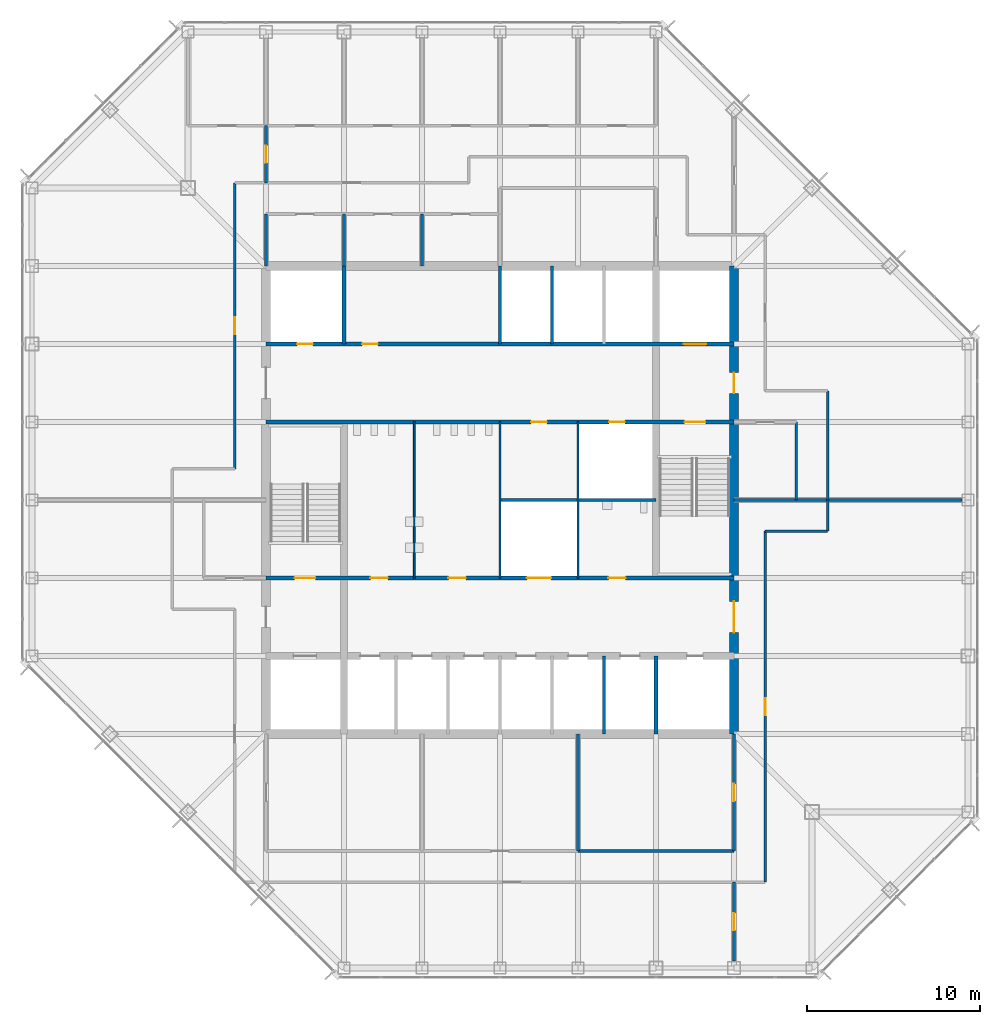
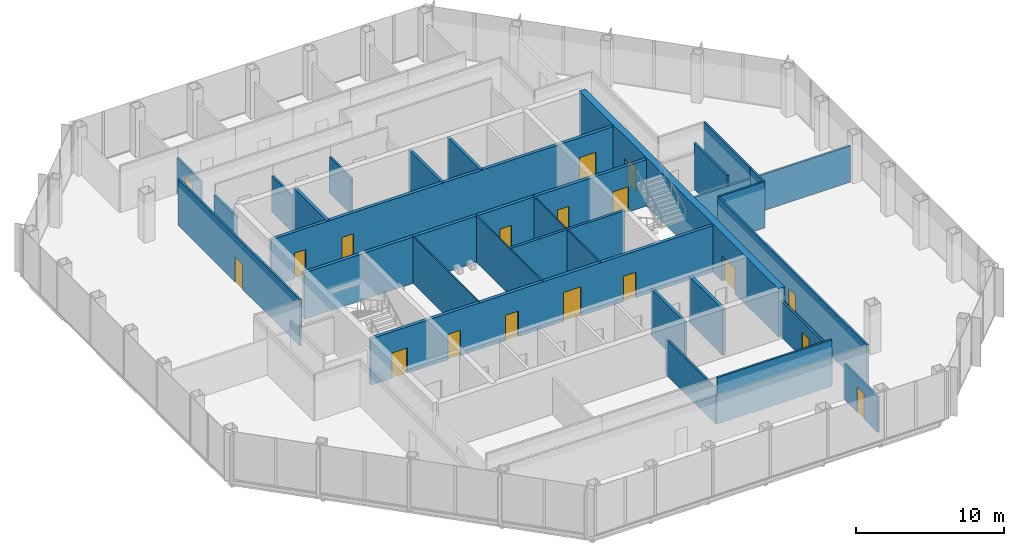
# One storey, part 9 of 13: 28 walls, 18 doors, 18 openings.
"""IFC4 building model written with IfcOpenShell, lengths in metres."""

from ifc_helpers import new_model, si_unit, direction, frame, frame_2d, origin, place, context, subcontext, project, spatial, rectangle, extrude, material, layer, layer_set, type_object, element, fill, save


model = new_model("IFC4")

# Units and contexts
model_context = context("Model", 3, precision=1e-05, world=origin(), true_north=direction((0.0, 1.0)))
body_context = subcontext(model_context, "Body", "Model", "MODEL_VIEW")
ifc_project = project(units=[si_unit("LENGTHUNIT", "METRE"), si_unit("AREAUNIT", "SQUARE_METRE"), si_unit("VOLUMEUNIT", "CUBIC_METRE"), si_unit("PLANEANGLEUNIT", "RADIAN"), si_unit("MASSUNIT", "GRAM", prefix="KILO")], contexts=[model_context])

# Site, building, storey
site_placement = place(None, origin())
site = spatial("IfcSite", under=ifc_project, at=site_placement, CompositionType="ELEMENT")
building_placement = place(site_placement, origin())
building = spatial("IfcBuilding", under=site, at=building_placement, Name="Corais Broadcast Tower", CompositionType="ELEMENT")
storey_placement = place(building_placement, frame((0.0, 0.0, 171.60009765625)))
storey = spatial("IfcBuildingStorey", under=building, at=storey_placement, Name="L39", CompositionType="ELEMENT", Elevation=171.60009765625)

# Walls
ifc_material_1 = material(Name="Concrete blockwork class A, grouted, two-hour", Category="masonry")
ifc_layer_1 = layer(ifc_material_1, 0.25)
ifc_layer_set_1 = layer_set([ifc_layer_1], Name="Concrete blockwork class A, grouted, two-hour")
wall_type_1 = type_object("IfcWallType", Name="Core lobby wall 250", PredefinedType="SOLIDWALL", material=ifc_layer_set_1)
for number, where, z_axis, x_axis, name in (
    (1, (18.0, 36.0, 0.0), (0.0, 0.0, 1.0), (0.0, 1.0, 0.0), "CL2 core shaft wall X18B L39"),
    (2, (36.0, 13.5, 0.0), (0.0, 0.0, 1.0), (0.0, 1.0, 0.0), "CL2 core shaft wall X36A L39"),
):
    element("IfcWall", number, at=place(storey_placement, frame(where, z_axis=z_axis, x_axis=x_axis)), inside=storey, type_object=wall_type_1, Name=name, PredefinedType="SOLIDWALL", context=body_context, shape_type="SweptSolid", body=[
        extrude(rectangle(XDim=4.5, YDim=0.25, at=frame_2d((2.25, 0.0))), origin(), (0.0, 0.0, 1.0), 3.83984375),
    ])

# Wall, openings, doors
wall_1_placement = place(storey_placement, frame((13.5, 22.5, 0.0), z_axis=(0.0, 0.0, 1.0), x_axis=(1.0, 0.0, 0.0)))
wall_1 = element("IfcWall", 3, at=wall_1_placement, inside=storey, type_object=wall_type_1, Name="CL2 core lobby wall Y225 L39", PredefinedType="SOLIDWALL", context=body_context, shape_type="SweptSolid", body=[
    extrude(rectangle(XDim=27.0, YDim=0.25, at=frame_2d((13.5, 0.0))), origin(), (0.0, 0.0, 1.0), 3.83984375),
])
opening_1_placement = place(wall_1_placement, frame((1.64990234375, 0.0, 0.0)))
opening_1 = element("IfcOpeningElement", 4, at=opening_1_placement, cuts=wall_1, Name="Opening FD1", PredefinedType="OPENING", context=body_context, shape_type="SweptSolid", body=[
    extrude(rectangle(XDim=1.199951171875, YDim=2.10009765625, at=frame_2d((0.60009765625, 1.050048828125))), frame((0.0, 0.135009765625, 0.0), z_axis=(0.0, -1.0, 0.0), x_axis=(1.0, 0.0, 0.0)), (0.0, 0.0, 1.0), 0.27001953125),
])
opening_2_placement = place(wall_1_placement, frame((6.02490234375, 0.0, 0.0)))
opening_2 = element("IfcOpeningElement", 5, at=opening_2_placement, cuts=wall_1, Name="Opening WD1", PredefinedType="OPENING", context=body_context, shape_type="SweptSolid", body=[
    extrude(rectangle(XDim=1.0, YDim=2.10009765625, at=frame_2d((0.5, 1.050048828125))), frame((0.0, 0.135009765625, 0.0), z_axis=(0.0, -1.0, 0.0), x_axis=(1.0, 0.0, 0.0)), (0.0, 0.0, 1.0), 0.27001953125),
])
opening_3_placement = place(wall_1_placement, frame((10.52490234375, 0.0, 0.0)))
opening_3 = element("IfcOpeningElement", 6, at=opening_3_placement, cuts=wall_1, Name="Opening WD1", PredefinedType="OPENING", context=body_context, shape_type="SweptSolid", body=[
    extrude(rectangle(XDim=1.0, YDim=2.10009765625, at=frame_2d((0.5, 1.050048828125))), frame((0.0, 0.135009765625, 0.0), z_axis=(0.0, -1.0, 0.0), x_axis=(1.0, 0.0, 0.0)), (0.0, 0.0, 1.0), 0.27001953125),
])
opening_4_placement = place(wall_1_placement, frame((19.75, 0.0, 0.0)))
opening_4 = element("IfcOpeningElement", 7, at=opening_4_placement, cuts=wall_1, Name="Opening WD1", PredefinedType="OPENING", context=body_context, shape_type="SweptSolid", body=[
    extrude(rectangle(XDim=1.0, YDim=2.10009765625, at=frame_2d((0.5, 1.050048828125))), frame((0.0, 0.135009765625, 0.0), z_axis=(0.0, -1.0, 0.0), x_axis=(1.0, 0.0, 0.0)), (0.0, 0.0, 1.0), 0.27001953125),
])
opening_5_placement = place(wall_1_placement, frame((15.050048828125, 0.0, 0.0)))
opening_5 = element("IfcOpeningElement", 8, at=opening_5_placement, cuts=wall_1, Name="Opening LD3", PredefinedType="OPENING", context=body_context, shape_type="SweptSolid", body=[
    extrude(rectangle(XDim=1.39990234375, YDim=2.39990234375, at=frame_2d((0.699951171875, 1.199951171875))), frame((0.0, 0.135009765625, 0.0), z_axis=(0.0, -1.0, 0.0), x_axis=(1.0, 0.0, 0.0)), (0.0, 0.0, 1.0), 0.27001953125),
])
ifc_material_2 = material(Name="Steel fire door", Category="steel")
door_type_1 = type_object("IfcDoorType", Name="Fire door 1200x2100", OperationType="SINGLE_SWING_LEFT", PredefinedType="DOOR", material=ifc_material_2)
door_1_placement = place(opening_1_placement, origin())
door_1 = element("IfcDoor", 9, at=door_1_placement, inside=storey, type_object=door_type_1, Name="FD1 stair A door L39", OperationType="SINGLE_SWING_LEFT", OverallHeight=2.10009765625, OverallWidth=1.199951171875, PredefinedType="DOOR", context=body_context, shape_type="SweptSolid", body=[
    extrude(rectangle(XDim=1.199951171875, YDim=2.10009765625, at=frame_2d((0.60009765625, 1.050048828125))), frame((0.0, 0.02490234375, 0.0), z_axis=(0.0, -1.0, 0.0), x_axis=(1.0, 0.0, 0.0)), (0.0, 0.0, 1.0), 0.050048828125),
])
fill(opening_1, door_1)
ifc_material_3 = material(Name="Stainless steel lift door", Category="steel")
door_type_2 = type_object("IfcDoorType", Name="Service lift landing door 1400x2400", OperationType="SLIDING_TO_LEFT", PredefinedType="DOOR", material=ifc_material_3)
door_2_placement = place(opening_5_placement, origin())
door_2 = element("IfcDoor", 10, at=door_2_placement, inside=storey, type_object=door_type_2, Name="LD3 SL1 landing door L39", OperationType="SLIDING_TO_LEFT", OverallHeight=2.39990234375, OverallWidth=1.39990234375, PredefinedType="DOOR", context=body_context, shape_type="SweptSolid", body=[
    extrude(rectangle(XDim=1.39990234375, YDim=2.39990234375, at=frame_2d((0.699951171875, 1.199951171875))), frame((0.0, 0.02490234375, 0.0), z_axis=(0.0, -1.0, 0.0), x_axis=(1.0, 0.0, 0.0)), (0.0, 0.0, 1.0), 0.050048828125),
])
fill(opening_5, door_2)
ifc_material_4 = material(Name="Timber door", Category="wood")
door_type_3 = type_object("IfcDoorType", Name="Toilet door 1000x2100", OperationType="SINGLE_SWING_LEFT", PredefinedType="DOOR", material=ifc_material_4)
door_3_placement = place(opening_2_placement, origin())
door_3 = element("IfcDoor", 11, at=door_3_placement, inside=storey, type_object=door_type_3, Name="WD1 WC male door L39", OperationType="SINGLE_SWING_LEFT", OverallHeight=2.10009765625, OverallWidth=1.0, PredefinedType="DOOR", context=body_context, shape_type="SweptSolid", body=[
    extrude(rectangle(XDim=1.0, YDim=2.10009765625, at=frame_2d((0.5, 1.050048828125))), frame((0.0, 0.02490234375, 0.0), z_axis=(0.0, -1.0, 0.0), x_axis=(1.0, 0.0, 0.0)), (0.0, 0.0, 1.0), 0.050048828125),
])
fill(opening_2, door_3)
door_4_placement = place(opening_3_placement, origin())
door_4 = element("IfcDoor", 12, at=door_4_placement, inside=storey, type_object=door_type_3, Name="WD1 WC female door L39", OperationType="SINGLE_SWING_LEFT", OverallHeight=2.10009765625, OverallWidth=1.0, PredefinedType="DOOR", context=body_context, shape_type="SweptSolid", body=[
    extrude(rectangle(XDim=1.0, YDim=2.10009765625, at=frame_2d((0.5, 1.050048828125))), frame((0.0, 0.02490234375, 0.0), z_axis=(0.0, -1.0, 0.0), x_axis=(1.0, 0.0, 0.0)), (0.0, 0.0, 1.0), 0.050048828125),
])
fill(opening_3, door_4)
door_5_placement = place(opening_4_placement, origin())
door_5 = element("IfcDoor", 13, at=door_5_placement, inside=storey, type_object=door_type_3, Name="WD1 accessible WC door L39", OperationType="SINGLE_SWING_RIGHT", OverallHeight=2.10009765625, OverallWidth=1.0, PredefinedType="DOOR", context=body_context, shape_type="SweptSolid", body=[
    extrude(rectangle(XDim=1.0, YDim=2.10009765625, at=frame_2d((0.5, 1.050048828125))), frame((0.0, 0.02490234375, 0.0), z_axis=(0.0, -1.0, 0.0), x_axis=(1.0, 0.0, 0.0)), (0.0, 0.0, 1.0), 0.050048828125),
])
fill(opening_4, door_5)

wall_2_placement = place(storey_placement, frame((13.5, 31.5, 0.0), z_axis=(0.0, 0.0, 1.0), x_axis=(1.0, 0.0, 0.0)))
wall_2 = element("IfcWall", 14, at=wall_2_placement, inside=storey, type_object=wall_type_1, Name="CL2 core lobby wall Y315 L39", PredefinedType="SOLIDWALL", context=body_context, shape_type="SweptSolid", body=[
    extrude(rectangle(XDim=27.0, YDim=0.25, at=frame_2d((13.5, 0.0))), origin(), (0.0, 0.0, 1.0), 3.83984375),
])
opening_6_placement = place(wall_2_placement, frame((24.14990234375, 0.0, 0.0)))
opening_6 = element("IfcOpeningElement", 15, at=opening_6_placement, cuts=wall_2, Name="Opening FD1", PredefinedType="OPENING", context=body_context, shape_type="SweptSolid", body=[
    extrude(rectangle(XDim=1.199951171875, YDim=2.10009765625, at=frame_2d((0.60009765625, 1.050048828125))), frame((0.0, 0.135009765625, 0.0), z_axis=(0.0, -1.0, 0.0), x_axis=(1.0, 0.0, 0.0)), (0.0, 0.0, 1.0), 0.27001953125),
])
opening_7_placement = place(wall_2_placement, frame((15.300048828125, 0.0, 0.0)))
opening_7 = element("IfcOpeningElement", 16, at=opening_7_placement, cuts=wall_2, Name="Opening RD1", PredefinedType="OPENING", context=body_context, shape_type="SweptSolid", body=[
    extrude(rectangle(XDim=0.89990234375, YDim=2.10009765625, at=frame_2d((0.449951171875, 1.050048828125))), frame((0.0, 0.135009765625, 0.0), z_axis=(0.0, -1.0, 0.0), x_axis=(1.0, 0.0, 0.0)), (0.0, 0.0, 1.0), 0.27001953125),
])
opening_8_placement = place(wall_2_placement, frame((19.800048828125, 0.0, 0.0)))
opening_8 = element("IfcOpeningElement", 17, at=opening_8_placement, cuts=wall_2, Name="Opening RD1", PredefinedType="OPENING", context=body_context, shape_type="SweptSolid", body=[
    extrude(rectangle(XDim=0.89990234375, YDim=2.10009765625, at=frame_2d((0.449951171875, 1.050048828125))), frame((0.0, 0.135009765625, 0.0), z_axis=(0.0, -1.0, 0.0), x_axis=(1.0, 0.0, 0.0)), (0.0, 0.0, 1.0), 0.27001953125),
])
door_6_placement = place(opening_6_placement, origin())
door_6 = element("IfcDoor", 18, at=door_6_placement, inside=storey, type_object=door_type_1, Name="FD1 stair B door L39", OperationType="SINGLE_SWING_RIGHT", OverallHeight=2.10009765625, OverallWidth=1.199951171875, PredefinedType="DOOR", context=body_context, shape_type="SweptSolid", body=[
    extrude(rectangle(XDim=1.199951171875, YDim=2.10009765625, at=frame_2d((0.60009765625, 1.050048828125))), frame((0.0, 0.02490234375, 0.0), z_axis=(0.0, -1.0, 0.0), x_axis=(1.0, 0.0, 0.0)), (0.0, 0.0, 1.0), 0.050048828125),
])
fill(opening_6, door_6)
ifc_material_5 = material(Name="Steel fire door", Category="steel")
door_type_4 = type_object("IfcDoorType", Name="Riser door 900x2100", OperationType="SINGLE_SWING_LEFT", PredefinedType="DOOR", material=ifc_material_5)
door_7_placement = place(opening_7_placement, origin())
door_7 = element("IfcDoor", 19, at=door_7_placement, inside=storey, type_object=door_type_4, Name="RD1 vending room door L39", OperationType="SINGLE_SWING_RIGHT", OverallHeight=2.10009765625, OverallWidth=0.89990234375, PredefinedType="DOOR", context=body_context, shape_type="SweptSolid", body=[
    extrude(rectangle(XDim=0.89990234375, YDim=2.10009765625, at=frame_2d((0.449951171875, 1.050048828125))), frame((0.0, 0.02490234375, 0.0), z_axis=(0.0, -1.0, 0.0), x_axis=(1.0, 0.0, 0.0)), (0.0, 0.0, 1.0), 0.050048828125),
])
fill(opening_7, door_7)
door_8_placement = place(opening_8_placement, origin())
door_8 = element("IfcDoor", 20, at=door_8_placement, inside=storey, type_object=door_type_4, Name="RD1 riser door L39", OperationType="SINGLE_SWING_RIGHT", OverallHeight=2.10009765625, OverallWidth=0.89990234375, PredefinedType="DOOR", context=body_context, shape_type="SweptSolid", body=[
    extrude(rectangle(XDim=0.89990234375, YDim=2.10009765625, at=frame_2d((0.449951171875, 1.050048828125))), frame((0.0, 0.02490234375, 0.0), z_axis=(0.0, -1.0, 0.0), x_axis=(1.0, 0.0, 0.0)), (0.0, 0.0, 1.0), 0.050048828125),
])
fill(opening_8, door_8)

ifc_material_6 = material(Name="Concrete C50/60", Category="concrete")
ifc_layer_2 = layer(ifc_material_6, 0.5)
ifc_layer_set_2 = layer_set([ifc_layer_2], Name="Concrete C50/60")
wall_type_2 = type_object("IfcWallType", Name="Core wall 500", PredefinedType="SHEAR", material=ifc_layer_set_2)
wall_3_placement = place(storey_placement, frame((40.5, 13.5, 0.0), z_axis=(0.0, 0.0, 1.0), x_axis=(0.0, 1.0, 0.0)))
wall_3 = element("IfcWall", 21, at=wall_3_placement, inside=storey, type_object=wall_type_2, Name="CR500 core wall E L39", PredefinedType="SHEAR", context=body_context, shape_type="SweptSolid", body=[
    extrude(rectangle(XDim=27.0, YDim=0.5, at=frame_2d((13.5, 0.0))), origin(), (0.0, 0.0, 1.0), 4.0),
])
opening_9_placement = place(wall_3_placement, frame((5.85009765625, 0.0, 0.0)))
opening_9 = element("IfcOpeningElement", 22, at=opening_9_placement, cuts=wall_3, Name="Opening FD2", PredefinedType="OPENING", context=body_context, shape_type="SweptSolid", body=[
    extrude(rectangle(XDim=1.800048828125, YDim=2.10009765625, at=frame_2d((0.89990234375, 1.050048828125))), frame((0.0, 0.260009765625, 0.0), z_axis=(0.0, -1.0, 0.0), x_axis=(1.0, 0.0, 0.0)), (0.0, 0.0, 1.0), 0.52001953125),
])
opening_10_placement = place(wall_3_placement, frame((19.64990234375, 0.0, 0.0)))
opening_10 = element("IfcOpeningElement", 23, at=opening_10_placement, cuts=wall_3, Name="Opening FD1", PredefinedType="OPENING", context=body_context, shape_type="SweptSolid", body=[
    extrude(rectangle(XDim=1.199951171875, YDim=2.10009765625, at=frame_2d((0.60009765625, 1.050048828125))), frame((0.0, 0.260009765625, 0.0), z_axis=(0.0, -1.0, 0.0), x_axis=(1.0, 0.0, 0.0)), (0.0, 0.0, 1.0), 0.52001953125),
])
door_9_placement = place(opening_10_placement, origin())
door_9 = element("IfcDoor", 24, at=door_9_placement, inside=storey, type_object=door_type_1, Name="FD1 fire lobby B door L39", OperationType="SINGLE_SWING_RIGHT", OverallHeight=2.10009765625, OverallWidth=1.199951171875, PredefinedType="DOOR", context=body_context, shape_type="SweptSolid", body=[
    extrude(rectangle(XDim=1.199951171875, YDim=2.10009765625, at=frame_2d((0.60009765625, 1.050048828125))), frame((0.0, 0.02490234375, 0.0), z_axis=(0.0, -1.0, 0.0), x_axis=(1.0, 0.0, 0.0)), (0.0, 0.0, 1.0), 0.050048828125),
])
fill(opening_10, door_9)
ifc_material_7 = material(Name="Steel fire door", Category="steel")
door_type_5 = type_object("IfcDoorType", Name="Fire door pair 1800x2100", OperationType="DOUBLE_DOOR_SINGLE_SWING", PredefinedType="DOOR", material=ifc_material_7)
door_10_placement = place(opening_9_placement, origin())
door_10 = element("IfcDoor", 25, at=door_10_placement, inside=storey, type_object=door_type_5, Name="FD2 lift lobby door L39", OperationType="SINGLE_SWING_LEFT", OverallHeight=2.10009765625, OverallWidth=1.800048828125, PredefinedType="DOOR", context=body_context, shape_type="SweptSolid", body=[
    extrude(rectangle(XDim=1.800048828125, YDim=2.10009765625, at=frame_2d((0.89990234375, 1.050048828125))), frame((0.0, 0.02490234375, 0.0), z_axis=(0.0, -1.0, 0.0), x_axis=(1.0, 0.0, 0.0)), (0.0, 0.0, 1.0), 0.050048828125),
])
fill(opening_9, door_10)

ifc_material_8 = material(Name="Concrete blockwork class A, grouted, four-hour", Category="masonry")
ifc_layer_3 = layer(ifc_material_8, 0.25)
ifc_layer_set_3 = layer_set([ifc_layer_3], Name="Concrete blockwork class A, grouted, four-hour")
wall_type_3 = type_object("IfcWallType", Name="Emergency lift shaft wall 250", PredefinedType="SOLIDWALL", material=ifc_layer_set_3)
wall_4_placement = place(storey_placement, frame((13.5, 36.0, 0.0), z_axis=(0.0, 0.0, 1.0), x_axis=(1.0, 0.0, 0.0)))
wall_4 = element("IfcWall", 26, at=wall_4_placement, inside=storey, type_object=wall_type_3, Name="LS2 core lobby wall Y36 L39", PredefinedType="SOLIDWALL", context=body_context, shape_type="SweptSolid", body=[
    extrude(rectangle(XDim=27.0, YDim=0.25, at=frame_2d((13.5, 0.0))), origin(), (0.0, 0.0, 1.0), 3.83984375),
])
opening_11_placement = place(wall_4_placement, frame((1.800048828125, 0.0, 0.0)))
opening_11 = element("IfcOpeningElement", 27, at=opening_11_placement, cuts=wall_4, Name="Opening RD1", PredefinedType="OPENING", context=body_context, shape_type="SweptSolid", body=[
    extrude(rectangle(XDim=0.89990234375, YDim=2.10009765625, at=frame_2d((0.449951171875, 1.050048828125))), frame((0.0, 0.135009765625, 0.0), z_axis=(0.0, -1.0, 0.0), x_axis=(1.0, 0.0, 0.0)), (0.0, 0.0, 1.0), 0.27001953125),
])
opening_12_placement = place(wall_4_placement, frame((5.550048828125, 0.0, 0.0)))
opening_12 = element("IfcOpeningElement", 28, at=opening_12_placement, cuts=wall_4, Name="Opening RD1", PredefinedType="OPENING", context=body_context, shape_type="SweptSolid", body=[
    extrude(rectangle(XDim=0.89990234375, YDim=2.10009765625, at=frame_2d((0.449951171875, 1.050048828125))), frame((0.0, 0.135009765625, 0.0), z_axis=(0.0, -1.0, 0.0), x_axis=(1.0, 0.0, 0.0)), (0.0, 0.0, 1.0), 0.27001953125),
])
opening_13_placement = place(wall_4_placement, frame((24.10009765625, 0.0, 0.0)))
opening_13 = element("IfcOpeningElement", 29, at=opening_13_placement, cuts=wall_4, Name="Opening LD2", PredefinedType="OPENING", context=body_context, shape_type="SweptSolid", body=[
    extrude(rectangle(XDim=1.300048828125, YDim=2.199951171875, at=frame_2d((0.64990234375, 1.10009765625))), frame((0.0, 0.135009765625, 0.0), z_axis=(0.0, -1.0, 0.0), x_axis=(1.0, 0.0, 0.0)), (0.0, 0.0, 1.0), 0.27001953125),
])
ifc_material_9 = material(Name="Stainless steel lift door", Category="steel")
door_type_6 = type_object("IfcDoorType", Name="Lift landing door 1300x2200", OperationType="SLIDING_TO_LEFT", PredefinedType="DOOR", material=ifc_material_9)
door_11_placement = place(opening_13_placement, origin())
door_11 = element("IfcDoor", 30, at=door_11_placement, inside=storey, type_object=door_type_6, Name="LD2 FL2 landing door L39", OperationType="SLIDING_TO_LEFT", OverallHeight=2.199951171875, OverallWidth=1.300048828125, PredefinedType="DOOR", context=body_context, shape_type="SweptSolid", body=[
    extrude(rectangle(XDim=1.300048828125, YDim=2.199951171875, at=frame_2d((0.64990234375, 1.10009765625))), frame((0.0, 0.02490234375, 0.0), z_axis=(0.0, -1.0, 0.0), x_axis=(1.0, 0.0, 0.0)), (0.0, 0.0, 1.0), 0.050048828125),
])
fill(opening_13, door_11)
door_12_placement = place(opening_11_placement, origin())
door_12 = element("IfcDoor", 31, at=door_12_placement, inside=storey, type_object=door_type_4, Name="RD1 riser door L39", OperationType="SINGLE_SWING_LEFT", OverallHeight=2.10009765625, OverallWidth=0.89990234375, PredefinedType="DOOR", context=body_context, shape_type="SweptSolid", body=[
    extrude(rectangle(XDim=0.89990234375, YDim=2.10009765625, at=frame_2d((0.449951171875, 1.050048828125))), frame((0.0, 0.02490234375, 0.0), z_axis=(0.0, -1.0, 0.0), x_axis=(1.0, 0.0, 0.0)), (0.0, 0.0, 1.0), 0.050048828125),
])
fill(opening_11, door_12)
door_13_placement = place(opening_12_placement, origin())
door_13 = element("IfcDoor", 32, at=door_13_placement, inside=storey, type_object=door_type_4, Name="RD1 media store door L39", OperationType="SINGLE_SWING_LEFT", OverallHeight=2.10009765625, OverallWidth=0.89990234375, PredefinedType="DOOR", context=body_context, shape_type="SweptSolid", body=[
    extrude(rectangle(XDim=0.89990234375, YDim=2.10009765625, at=frame_2d((0.449951171875, 1.050048828125))), frame((0.0, 0.02490234375, 0.0), z_axis=(0.0, -1.0, 0.0), x_axis=(1.0, 0.0, 0.0)), (0.0, 0.0, 1.0), 0.050048828125),
])
fill(opening_12, door_13)

# Wall
ifc_material_10 = material(Name="Two layers of fire-rated gypsum board each side on steel studs", Category="steel")
ifc_layer_4 = layer(ifc_material_10, 0.14990234375)
ifc_layer_set_4 = layer_set([ifc_layer_4], Name="Two layers of fire-rated gypsum board each side on steel studs")
wall_type_4 = type_object("IfcWallType", Name="Fire-rated partition 150 EI 60", PredefinedType="PARTITIONING", material=ifc_layer_set_4)
wall_5_placement = place(storey_placement, frame((40.5, 27.0, 0.0), z_axis=(0.0, 0.0, 1.0), x_axis=(1.0, 0.0, 0.0)))
element("IfcWall", 33, at=wall_5_placement, inside=storey, type_object=wall_type_4, Name="IW7 tenancy wall L39", PredefinedType="PARTITIONING", context=body_context, shape_type="SweptSolid", body=[
    extrude(rectangle(XDim=13.139892578125, YDim=0.14990234375, at=frame_2d((6.56982421875, 0.0))), origin(), (0.0, 0.0, 1.0), 2.989013671875),
])

# Wall, opening, door
ifc_material_11 = material(Name="Gypsum board on steel studs", Category="steel")
ifc_layer_5 = layer(ifc_material_11, 0.14990234375)
ifc_layer_set_5 = layer_set([ifc_layer_5], Name="Gypsum board on steel studs")
wall_type_5 = type_object("IfcWallType", Name="Partition 150", PredefinedType="PARTITIONING", material=ifc_layer_set_5)
wall_6_placement = place(storey_placement, frame((11.699951171875, 45.300048828125, 0.0), z_axis=(0.0, 0.0, 1.0), x_axis=(0.0, -1.0, 0.0)))
wall_6 = element("IfcWall", 34, at=wall_6_placement, inside=storey, type_object=wall_type_5, Name="IW3 corridor wall L39", PredefinedType="PARTITIONING", context=body_context, shape_type="SweptSolid", body=[
    extrude(rectangle(XDim=16.5, YDim=0.14990234375, at=frame_2d((8.25, 0.0))), origin(), (0.0, 0.0, 1.0), 3.83984375),
])
opening_14_placement = place(wall_6_placement, frame((7.75, 0.0, 0.0)))
opening_14 = element("IfcOpeningElement", 35, at=opening_14_placement, cuts=wall_6, Name="Opening D1", PredefinedType="OPENING", context=body_context, shape_type="SweptSolid", body=[
    extrude(rectangle(XDim=1.0, YDim=2.10009765625, at=frame_2d((0.5, 1.050048828125))), frame((0.0, 0.0849609375, 0.0), z_axis=(0.0, -1.0, 0.0), x_axis=(1.0, 0.0, 0.0)), (0.0, 0.0, 1.0), 0.169921875),
])
ifc_material_12 = material(Name="Timber door", Category="wood")
door_type_7 = type_object("IfcDoorType", Name="Single door 1000x2100", OperationType="SINGLE_SWING_LEFT", PredefinedType="DOOR", material=ifc_material_12)
door_14_placement = place(opening_14_placement, origin())
door_14 = element("IfcDoor", 36, at=door_14_placement, inside=storey, type_object=door_type_7, Name="D1 workplace door L39", OperationType="SINGLE_SWING_LEFT", OverallHeight=2.10009765625, OverallWidth=1.0, PredefinedType="DOOR", context=body_context, shape_type="SweptSolid", body=[
    extrude(rectangle(XDim=1.0, YDim=2.10009765625, at=frame_2d((0.5, 1.050048828125))), frame((0.0, 0.02490234375, 0.0), z_axis=(0.0, -1.0, 0.0), x_axis=(1.0, 0.0, 0.0)), (0.0, 0.0, 1.0), 0.050048828125),
])
fill(opening_14, door_14)

# Wall
wall_7_placement = place(storey_placement, frame((45.89990234375, 27.00048828125, 0.0), z_axis=(0.0, 0.0, 1.0), x_axis=(0.0, 1.0, 0.0)))
element("IfcWall", 37, at=wall_7_placement, inside=storey, type_object=wall_type_5, Name="IW3 corridor wall L39", PredefinedType="PARTITIONING", context=body_context, shape_type="SweptSolid", body=[
    extrude(rectangle(XDim=6.299560546875, YDim=0.14990234375, at=frame_2d((3.14990234375, 0.0))), origin(), (0.0, 0.0, 1.0), 3.83984375),
])

# Wall, opening, door
wall_8_placement = place(storey_placement, frame((42.300048828125, 4.949951171875, 0.0), z_axis=(0.0, 0.0, 1.0), x_axis=(0.0, 1.0, 0.0)))
wall_8 = element("IfcWall", 38, at=wall_8_placement, inside=storey, type_object=wall_type_5, Name="IW3 corridor wall L39", PredefinedType="PARTITIONING", context=body_context, shape_type="SweptSolid", body=[
    extrude(rectangle(XDim=20.25, YDim=0.14990234375, at=frame_2d((10.125, 0.0))), origin(), (0.0, 0.0, 1.0), 3.83984375),
])
opening_15_placement = place(wall_8_placement, frame((9.625, 0.0, 0.0)))
opening_15 = element("IfcOpeningElement", 39, at=opening_15_placement, cuts=wall_8, Name="Opening D1", PredefinedType="OPENING", context=body_context, shape_type="SweptSolid", body=[
    extrude(rectangle(XDim=1.0, YDim=2.10009765625, at=frame_2d((0.5, 1.050048828125))), frame((0.0, 0.0849609375, 0.0), z_axis=(0.0, -1.0, 0.0), x_axis=(1.0, 0.0, 0.0)), (0.0, 0.0, 1.0), 0.169921875),
])
door_15_placement = place(opening_15_placement, origin())
door_15 = element("IfcDoor", 40, at=door_15_placement, inside=storey, type_object=door_type_7, Name="D1 workplace door L39", OperationType="SINGLE_SWING_LEFT", OverallHeight=2.10009765625, OverallWidth=1.0, PredefinedType="DOOR", context=body_context, shape_type="SweptSolid", body=[
    extrude(rectangle(XDim=1.0, YDim=2.10009765625, at=frame_2d((0.5, 1.050048828125))), frame((0.0, 0.02490234375, 0.0), z_axis=(0.0, -1.0, 0.0), x_axis=(1.0, 0.0, 0.0)), (0.0, 0.0, 1.0), 0.050048828125),
])
fill(opening_15, door_15)

# Walls
wall_9_placement = place(storey_placement, frame((42.300048828125, 25.199951171875, 0.0), z_axis=(0.0, 0.0, 1.0), x_axis=(1.0, 0.0, 0.0)))
element("IfcWall", 41, at=wall_9_placement, inside=storey, type_object=wall_type_5, Name="IW3 corridor wall L39", PredefinedType="PARTITIONING", context=body_context, shape_type="SweptSolid", body=[
    extrude(rectangle(XDim=3.599853515625, YDim=0.14990234375, at=frame_2d((1.7998046875, 0.0))), origin(), (0.0, 0.0, 1.0), 3.83984375),
])
wall_10_placement = place(storey_placement, frame((45.89990234375, 25.199951171875, 0.0), z_axis=(0.0, 0.0, 1.0), x_axis=(0.0, 1.0, 0.0)))
element("IfcWall", 42, at=wall_10_placement, inside=storey, type_object=wall_type_5, Name="IW3 corridor wall L39", PredefinedType="PARTITIONING", context=body_context, shape_type="SweptSolid", body=[
    extrude(rectangle(XDim=1.799560546875, YDim=0.14990234375, at=frame_2d((0.89990234375, 0.0))), origin(), (0.0, 0.0, 1.0), 3.83984375),
])
wall_11_placement = place(storey_placement, frame((31.5, 6.75, 0.0), z_axis=(0.0, 0.0, 1.0), x_axis=(0.0, 1.0, 0.0)))
element("IfcWall", 43, at=wall_11_placement, inside=storey, type_object=wall_type_5, Name="IW3 partition L39", PredefinedType="PARTITIONING", context=body_context, shape_type="SweptSolid", body=[
    extrude(rectangle(XDim=6.75, YDim=0.14990234375, at=frame_2d((3.375, 0.0))), origin(), (0.0, 0.0, 1.0), 2.989013671875),
])
wall_12_placement = place(storey_placement, frame((31.5, 6.75, 0.0), z_axis=(0.0, 0.0, 1.0), x_axis=(1.0, 0.0, 0.0)))
element("IfcWall", 44, at=wall_12_placement, inside=storey, type_object=wall_type_5, Name="IW3 partition L39", PredefinedType="PARTITIONING", context=body_context, shape_type="SweptSolid", body=[
    extrude(rectangle(XDim=9.0, YDim=0.14990234375, at=frame_2d((4.5, 0.0))), origin(), (0.0, 0.0, 1.0), 3.83984375),
])

# Wall, opening, door
wall_13_placement = place(storey_placement, frame((40.5, 6.75, 0.0), z_axis=(0.0, 0.0, 1.0), x_axis=(0.0, 1.0, 0.0)))
wall_13 = element("IfcWall", 45, at=wall_13_placement, inside=storey, type_object=wall_type_5, Name="IW3 partition L39", PredefinedType="PARTITIONING", context=body_context, shape_type="SweptSolid", body=[
    extrude(rectangle(XDim=6.75, YDim=0.14990234375, at=frame_2d((3.375, 0.0))), origin(), (0.0, 0.0, 1.0), 2.989013671875),
])
opening_16_placement = place(wall_13_placement, frame((2.875, 0.0, 0.0)))
opening_16 = element("IfcOpeningElement", 46, at=opening_16_placement, cuts=wall_13, Name="Opening D1", PredefinedType="OPENING", context=body_context, shape_type="SweptSolid", body=[
    extrude(rectangle(XDim=1.0, YDim=2.10009765625, at=frame_2d((0.5, 1.050048828125))), frame((0.0, 0.0849609375, 0.0), z_axis=(0.0, -1.0, 0.0), x_axis=(1.0, 0.0, 0.0)), (0.0, 0.0, 1.0), 0.169921875),
])
door_16_placement = place(opening_16_placement, origin())
door_16 = element("IfcDoor", 47, at=door_16_placement, inside=storey, type_object=door_type_7, Name="D1 Office door", OperationType="SINGLE_SWING_LEFT", OverallHeight=2.10009765625, OverallWidth=1.0, PredefinedType="DOOR", context=body_context, shape_type="SweptSolid", body=[
    extrude(rectangle(XDim=1.0, YDim=2.10009765625, at=frame_2d((0.5, 1.050048828125))), frame((0.0, 0.02490234375, 0.0), z_axis=(0.0, -1.0, 0.0), x_axis=(1.0, 0.0, 0.0)), (0.0, 0.0, 1.0), 0.050048828125),
])
fill(opening_16, door_16)

# Walls
wall_14_placement = place(storey_placement, frame((44.10009765625, 27.0, 0.0), z_axis=(0.0, 0.0, 1.0), x_axis=(0.0, 1.0, 0.0)))
element("IfcWall", 48, at=wall_14_placement, inside=storey, type_object=wall_type_5, Name="IW3 partition L39", PredefinedType="PARTITIONING", context=body_context, shape_type="SweptSolid", body=[
    extrude(rectangle(XDim=4.5, YDim=0.14990234375, at=frame_2d((2.25, 0.0))), origin(), (0.0, 0.0, 1.0), 3.83984375),
])
for number, where, z_axis, x_axis, name in (
    (49, (18.0, 40.5, 0.0), (0.0, 0.0, 1.0), (0.0, 1.0, 0.0), "IW3 partition L39"),
    (50, (13.5, 43.5, 0.0), (0.0, 0.0, 1.0), (0.0, -1.0, 0.0), "IW3 partition L39"),
    (51, (22.5, 40.5, 0.0), (0.0, 0.0, 1.0), (0.0, 1.0, 0.0), "IW3 partition L39"),
):
    element("IfcWall", number, at=place(storey_placement, frame(where, z_axis=z_axis, x_axis=x_axis)), inside=storey, type_object=wall_type_5, Name=name, PredefinedType="PARTITIONING", context=body_context, shape_type="SweptSolid", body=[
        extrude(rectangle(XDim=3.0, YDim=0.14990234375, at=frame_2d((1.5, 0.0))), origin(), (0.0, 0.0, 1.0), 2.989013671875),
    ])

# Wall, opening, door
wall_15_placement = place(storey_placement, frame((13.5, 45.300048828125, 0.0), z_axis=(0.0, 0.0, 1.0), x_axis=(0.0, 1.0, 0.0)))
wall_15 = element("IfcWall", 52, at=wall_15_placement, inside=storey, type_object=wall_type_5, Name="IW3 partition L39", PredefinedType="PARTITIONING", context=body_context, shape_type="SweptSolid", body=[
    extrude(rectangle(XDim=3.300048828125, YDim=0.14990234375, at=frame_2d((1.64990234375, 0.0))), origin(), (0.0, 0.0, 1.0), 2.989013671875),
])
opening_17_placement = place(wall_15_placement, frame((1.14990234375, 0.0, 0.0)))
opening_17 = element("IfcOpeningElement", 53, at=opening_17_placement, cuts=wall_15, Name="Opening D1", PredefinedType="OPENING", context=body_context, shape_type="SweptSolid", body=[
    extrude(rectangle(XDim=1.0, YDim=2.10009765625, at=frame_2d((0.5, 1.050048828125))), frame((0.0, 0.0849609375, 0.0), z_axis=(0.0, -1.0, 0.0), x_axis=(1.0, 0.0, 0.0)), (0.0, 0.0, 1.0), 0.169921875),
])
door_17_placement = place(opening_17_placement, origin())
door_17 = element("IfcDoor", 54, at=door_17_placement, inside=storey, type_object=door_type_7, Name="D1 team room door L39", OperationType="SINGLE_SWING_LEFT", OverallHeight=2.10009765625, OverallWidth=1.0, PredefinedType="DOOR", context=body_context, shape_type="SweptSolid", body=[
    extrude(rectangle(XDim=1.0, YDim=2.10009765625, at=frame_2d((0.5, 1.050048828125))), frame((0.0, 0.02490234375, 0.0), z_axis=(0.0, -1.0, 0.0), x_axis=(1.0, 0.0, 0.0)), (0.0, 0.0, 1.0), 0.050048828125),
])
fill(opening_17, door_17)

wall_16_placement = place(storey_placement, frame((40.5, 0.39501953125, 0.0), z_axis=(0.0, 0.0, 1.0), x_axis=(0.0, 1.0, 0.0)))
wall_16 = element("IfcWall", 55, at=wall_16_placement, inside=storey, type_object=wall_type_5, Name="IW3 partition L39", PredefinedType="PARTITIONING", context=body_context, shape_type="SweptSolid", body=[
    extrude(rectangle(XDim=4.554931640625, YDim=0.14990234375, at=frame_2d((2.27734375, 0.0))), origin(), (0.0, 0.0, 1.0), 2.989013671875),
])
opening_18_placement = place(wall_16_placement, frame((1.777587890625, 0.0, 0.0)))
opening_18 = element("IfcOpeningElement", 56, at=opening_18_placement, cuts=wall_16, Name="Opening D1", PredefinedType="OPENING", context=body_context, shape_type="SweptSolid", body=[
    extrude(rectangle(XDim=1.0, YDim=2.10009765625, at=frame_2d((0.5, 1.050048828125))), frame((0.0, 0.0849609375, 0.0), z_axis=(0.0, -1.0, 0.0), x_axis=(1.0, 0.0, 0.0)), (0.0, 0.0, 1.0), 0.169921875),
])
door_18_placement = place(opening_18_placement, origin())
door_18 = element("IfcDoor", 57, at=door_18_placement, inside=storey, type_object=door_type_7, Name="D1 team room door L39", OperationType="SINGLE_SWING_LEFT", OverallHeight=2.10009765625, OverallWidth=1.0, PredefinedType="DOOR", context=body_context, shape_type="SweptSolid", body=[
    extrude(rectangle(XDim=1.0, YDim=2.10009765625, at=frame_2d((0.5, 1.050048828125))), frame((0.0, 0.02490234375, 0.0), z_axis=(0.0, -1.0, 0.0), x_axis=(1.0, 0.0, 0.0)), (0.0, 0.0, 1.0), 0.050048828125),
])
fill(opening_18, door_18)

# Walls
ifc_material_13 = material(Name="Concrete blockwork class A, grouted, two-hour", Category="masonry")
ifc_layer_6 = layer(ifc_material_13, 0.199951171875)
ifc_layer_set_6 = layer_set([ifc_layer_6], Name="Concrete blockwork class A, grouted, two-hour")
wall_type_6 = type_object("IfcWallType", Name="Shaft wall 200", PredefinedType="PARTITIONING", material=ifc_layer_set_6)
for number, where, z_axis, x_axis, name in (
    (58, (27.0, 36.0, 0.0), (0.0, 0.0, 1.0), (0.0, 1.0, 0.0), "IW1 shaft wall L39"),
    (59, (30.0, 36.0, 0.0), (0.0, 0.0, 1.0), (0.0, 1.0, 0.0), "IW1 shaft wall L39"),
    (60, (33.0, 13.5, 0.0), (0.0, 0.0, 1.0), (0.0, 1.0, 0.0), "IW1 shaft wall L39"),
):
    element("IfcWall", number, at=place(storey_placement, frame(where, z_axis=z_axis, x_axis=x_axis)), inside=storey, type_object=wall_type_6, Name=name, PredefinedType="PARTITIONING", context=body_context, shape_type="SweptSolid", body=[
        extrude(rectangle(XDim=4.5, YDim=0.199951171875, at=frame_2d((2.25, 0.0))), origin(), (0.0, 0.0, 1.0), 3.83984375),
    ])
wall_17_placement = place(storey_placement, frame((27.0, 27.0, 0.0), z_axis=(0.0, 0.0, 1.0), x_axis=(1.0, 0.0, 0.0)))
element("IfcWall", 61, at=wall_17_placement, inside=storey, type_object=wall_type_6, Name="IW1 shaft wall L39", PredefinedType="PARTITIONING", context=body_context, shape_type="SweptSolid", body=[
    extrude(rectangle(XDim=9.0, YDim=0.199951171875, at=frame_2d((4.5, 0.0))), origin(), (0.0, 0.0, 1.0), 3.83984375),
])
ifc_material_14 = material(Name="Dense concrete blockwork class A, tiled both faces", Category="masonry")
ifc_layer_7 = layer(ifc_material_14, 0.10009765625)
ifc_layer_set_7 = layer_set([ifc_layer_7], Name="Dense concrete blockwork class A, tiled both faces")
wall_type_7 = type_object("IfcWallType", Name="Toilet wall 100", PredefinedType="PLUMBINGWALL", material=ifc_layer_set_7)
for number, where, z_axis, x_axis, name in (
    (62, (22.050048828125, 22.5, 0.0), (0.0, 0.0, 1.0), (0.0, 1.0, 0.0), "IW2 toilet wall L39"),
    (63, (27.0, 22.5, 0.0), (0.0, 0.0, 1.0), (0.0, 1.0, 0.0), "IW2 toilet wall L39"),
    (64, (31.5, 22.5, 0.0), (0.0, 0.0, 1.0), (0.0, 1.0, 0.0), "IW2 toilet wall L39"),
):
    element("IfcWall", number, at=place(storey_placement, frame(where, z_axis=z_axis, x_axis=x_axis)), inside=storey, type_object=wall_type_7, Name=name, PredefinedType="PLUMBINGWALL", context=body_context, shape_type="SweptSolid", body=[
        extrude(rectangle(XDim=9.0, YDim=0.10009765625, at=frame_2d((4.5, 0.0))), origin(), (0.0, 0.0, 1.0), 3.83984375),
    ])

save(model, "model.ifc")
